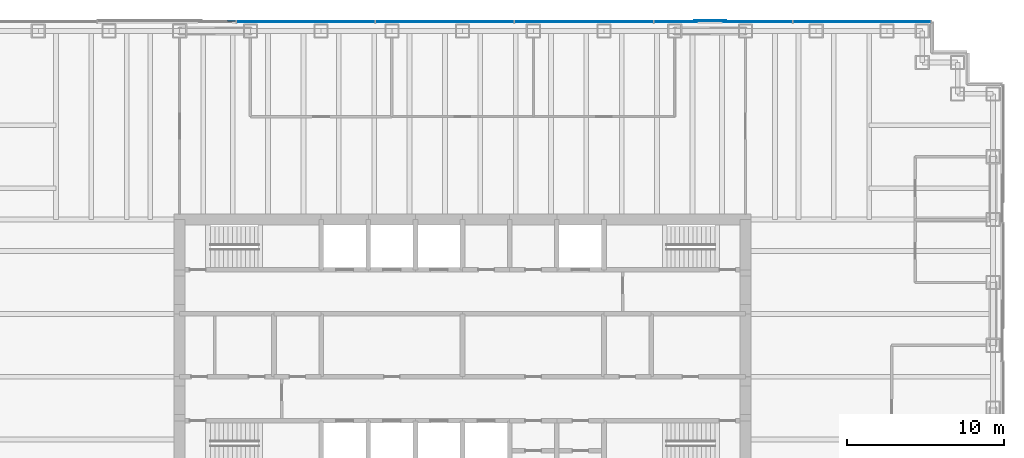
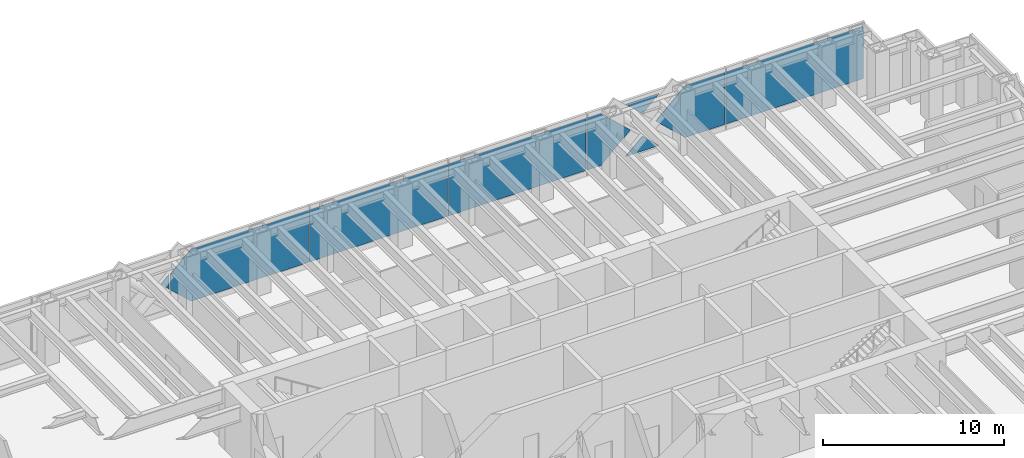
# One storey, part 12 of 17: 9 plates, 1 element without a shape of its own.
"""IFC4 building model written with IfcOpenShell, lengths in metres."""

import ifcopenshell
import ifcopenshell.guid

model = None  # the IFC model being written
_history = None  # IfcOwnerHistory: only IFC2X3 demands one
_inside = {}  # id of a spatial element -> (the spatial element, [elements in it])
_under = {}  # id of a project, library or spatial element -> (it, [spatial elements below it])
_declared = {}  # id of a project -> (the project, [libraries it declares])
_typed = {}  # id of a type object -> (the type object, [elements of that type])
_made_of = {}  # id of a material, layer set ... -> (it, [elements and type objects made of it])


def new_model(schema):
    """Start an empty IFC model of exactly this schema.

    Asked for "IFC4X3", IfcOpenShell would pick the latest addendum, in which some entities
    have other attributes; the version numbers below select the first issue.
    IFC2X3 requires an IfcOwnerHistory on every rooted entity: one is made here for all.
    """
    global model, _history
    if schema == "IFC4X3":
        model = ifcopenshell.file(schema_version=(4, 3, 0, 0))
    else:
        model = ifcopenshell.file(schema=schema)
    _inside.clear()
    _under.clear()
    _declared.clear()
    _typed.clear()
    _made_of.clear()
    _history = None
    if model.schema == "IFC2X3":
        org = make("IfcOrganization", Name="unknown")
        user = make(
            "IfcPersonAndOrganization",
            ThePerson=make("IfcPerson", FamilyName="unknown"),
            TheOrganization=org,
        )
        app = make(
            "IfcApplication",
            ApplicationDeveloper=org,
            Version="unknown",
            ApplicationFullName="unknown",
            ApplicationIdentifier="unknown",
        )
        _history = make(
            "IfcOwnerHistory",
            OwningUser=user,
            OwningApplication=app,
            ChangeAction="ADDED",
            CreationDate=0,
        )
    return model


def make(cls, **values):
    """One entity of the class cls with the attributes given. An attribute that is None is left unset."""
    return model.create_entity(
        cls, **{name: value for name, value in values.items() if value is not None}
    )


def rooted(cls, **values):
    """An entity with a GlobalId (a new one), such as an element, a storey or a relation."""
    return make(cls, GlobalId=ifcopenshell.guid.new(), OwnerHistory=_history, **values)


def si_unit(unit_type, name, prefix=None):
    """IfcSIUnit, for example si_unit("LENGTHUNIT", "METRE", prefix="MILLI")."""
    return make("IfcSIUnit", UnitType=unit_type, Prefix=prefix, Name=name)


def assignment(units):
    """IfcUnitAssignment: the units of a project."""
    return None if units is None else make("IfcUnitAssignment", Units=units)


def point(xyz):
    """IfcCartesianPoint."""
    return None if xyz is None else make("IfcCartesianPoint", Coordinates=xyz)


def direction(xyz):
    """IfcDirection."""
    return None if xyz is None else make("IfcDirection", DirectionRatios=xyz)


def frame(location, z_axis=None, x_axis=None):
    """IfcAxis2Placement3D, a coordinate frame: its origin and axes. An axis left out is left unset."""
    return make(
        "IfcAxis2Placement3D",
        Location=point(location),
        Axis=direction(z_axis),
        RefDirection=direction(x_axis),
    )


def frame_2d(location, x_axis=None):
    """IfcAxis2Placement2D, a coordinate frame in the plane: its origin and x axis."""
    return make(
        "IfcAxis2Placement2D", Location=point(location), RefDirection=direction(x_axis)
    )


def origin():
    """The frame at (0, 0, 0) with its axes left unset."""
    return frame((0.0, 0.0, 0.0))


def origin_2d():
    """The frame at (0, 0) in the plane with its x axis left unset."""
    return frame_2d((0.0, 0.0))


def place(relative_to, where):
    """IfcLocalPlacement: puts the frame where relative to a parent placement (None: the world)."""
    return make(
        "IfcLocalPlacement", PlacementRelTo=relative_to, RelativePlacement=where
    )


def context(
    kind, dimensions, precision=None, world=None, true_north=None, identifier=None
):
    """IfcGeometricRepresentationContext, for example the 3D "Model" context."""
    return make(
        "IfcGeometricRepresentationContext",
        ContextIdentifier=identifier,
        ContextType=kind,
        CoordinateSpaceDimension=dimensions,
        Precision=precision,
        WorldCoordinateSystem=world,
        TrueNorth=true_north,
    )


def subcontext(parent, identifier, kind, view, scale=None):
    """IfcGeometricRepresentationSubContext, for example "Body" below "Model"."""
    return make(
        "IfcGeometricRepresentationSubContext",
        ContextIdentifier=identifier,
        ContextType=kind,
        ParentContext=parent,
        TargetScale=scale,
        TargetView=view,
    )


def project(units=None, contexts=None):
    """IfcProject with its units and contexts."""
    return rooted(
        "IfcProject",
        Name="project",
        RepresentationContexts=contexts,
        UnitsInContext=assignment(units),
    )


def spatial(cls, under=None, at=None, **own):
    """A site, building, storey or space (cls), placed at a placement, below another one or the project."""
    s = rooted(cls, ObjectPlacement=at, **own)
    if under is not None:
        _under.setdefault(under.id(), (under, []))[1].append(s)
    return s


def polyline(points):
    """IfcPolyline through the points."""
    return make("IfcPolyline", Points=[point(p) for p in points])


def profile(cls, at=None, kind="AREA", **sizes):
    """A parametric profile (cls). Its sizes go by their IFC names, for example OverallWidth=200.0."""
    return make(cls, ProfileType=kind, Position=at, **sizes)


def rectangle(**sizes):
    """IfcRectangleProfileDef."""
    return profile("IfcRectangleProfileDef", **sizes)


def outline(outer, holes=None, kind="AREA"):
    """IfcArbitraryClosedProfileDef: a profile drawn as a closed curve; with holes, ...WithVoids."""
    if holes is None:
        return make("IfcArbitraryClosedProfileDef", ProfileType=kind, OuterCurve=outer)
    return make(
        "IfcArbitraryProfileDefWithVoids",
        ProfileType=kind,
        OuterCurve=outer,
        InnerCurves=holes,
    )


def extrude(swept, where, along, depth):
    """IfcExtrudedAreaSolid: the profile swept, set in the frame where, extruded along a direction by depth."""
    return make(
        "IfcExtrudedAreaSolid",
        SweptArea=swept,
        Position=where,
        ExtrudedDirection=direction(along),
        Depth=depth,
    )


def shape(context_of_items, identifier, shape_type, items):
    """IfcShapeRepresentation: the items that make up one representation, for example the "Body"."""
    return make(
        "IfcShapeRepresentation",
        ContextOfItems=context_of_items,
        RepresentationIdentifier=identifier,
        RepresentationType=shape_type,
        Items=items,
    )


def material(Name=None, Category=None):
    """IfcMaterial."""
    return make("IfcMaterial", Name=Name, Category=Category)


def layer(
    of_material, thickness, ventilated=None, Name=None, Category=None, Priority=None
):
    """IfcMaterialLayer: one layer of a wall or slab, of a material (None: an air gap)."""
    return make(
        "IfcMaterialLayer",
        Material=of_material,
        LayerThickness=thickness,
        IsVentilated=ventilated,
        Name=Name,
        Category=Category,
        Priority=Priority,
    )


def layer_set(layers, Name=None):
    """IfcMaterialLayerSet."""
    return make("IfcMaterialLayerSet", MaterialLayers=layers, LayerSetName=Name)


def made_of(thing, what):
    """Note that an element or type object is made of a material, layer set ...; save() writes the relation."""
    if what is not None:
        _made_of.setdefault(what.id(), (what, []))[1].append(thing)
    return thing


def type_object(cls, material=None, **own):
    """A type object (cls), such as IfcWallType, which elements share."""
    return made_of(rooted(cls, **own), material)


def element(
    cls,
    number,
    at=None,
    inside=None,
    cuts=None,
    type_object=None,
    material=None,
    context=None,
    identifier="Body",
    shape_type=None,
    held_by="IfcProductDefinitionShape",
    body=None,
    shapes=None,
    **own,
):
    """One element of the class cls, such as IfcWall. Its Tag is "e" and its number.

    at: its placement. inside: the storey or other place that contains it. cuts: it is an
    opening in that element (IfcRelVoidsElement). A single representation is given by context,
    identifier, shape_type and body (its items); several are given by shapes. held_by: the class
    of the entity that holds the representations. save() writes the other relations.
    """
    e = rooted(cls, Tag="e%d" % number, ObjectPlacement=at, **own)
    if body is not None:
        shapes = [shape(context, identifier, shape_type, body)]
    if shapes is not None:
        e.Representation = make(held_by, Representations=shapes)
    if inside is not None:
        _inside.setdefault(inside.id(), (inside, []))[1].append(e)
    if cuts is not None:
        rooted(
            "IfcRelVoidsElement", RelatingBuildingElement=cuts, RelatedOpeningElement=e
        )
    if type_object is not None:
        _typed.setdefault(type_object.id(), (type_object, []))[1].append(e)
    return made_of(e, material)


def aggregate(whole, parts):
    """IfcRelAggregates: a whole, such as a stair, and the parts it consists of."""
    return rooted("IfcRelAggregates", RelatingObject=whole, RelatedObjects=parts)


def save(model, path):
    """Write the relations noted so far, then the file.

    IfcRelAggregates (storeys below a building ...), IfcRelContainedInSpatialStructure (elements
    in a storey), IfcRelDefinesByType, IfcRelAssociatesMaterial and IfcRelDeclares: one each for
    every whole, place, type object, material and project.
    """
    for whole, parts in _under.values():
        aggregate(whole, parts)
    for where, things in _inside.values():
        rooted(
            "IfcRelContainedInSpatialStructure",
            RelatedElements=things,
            RelatingStructure=where,
        )
    for kind, things in _typed.values():
        rooted("IfcRelDefinesByType", RelatedObjects=things, RelatingType=kind)
    for what, things in _made_of.values():
        rooted("IfcRelAssociatesMaterial", RelatedObjects=things, RelatingMaterial=what)
    for by, libraries in _declared.values():
        rooted("IfcRelDeclares", RelatingContext=by, RelatedDefinitions=libraries)
    model.write(path)


model = new_model("IFC4")

# Units and contexts
model_context = context("Model", 3, precision=1e-05, world=origin(), true_north=direction((0.0, 1.0)))
body_context = subcontext(model_context, "Body", "Model", "MODEL_VIEW")
ifc_project = project(units=[si_unit("LENGTHUNIT", "METRE"), si_unit("AREAUNIT", "SQUARE_METRE"), si_unit("VOLUMEUNIT", "CUBIC_METRE"), si_unit("PLANEANGLEUNIT", "RADIAN"), si_unit("MASSUNIT", "GRAM", prefix="KILO")], contexts=[model_context])

# Site, building, storey
site_placement = place(None, origin())
site = spatial("IfcSite", under=ifc_project, at=site_placement, CompositionType="ELEMENT")
building_placement = place(site_placement, origin())
building = spatial("IfcBuilding", under=site, at=building_placement, Name="Rheinbord Bourse Tower", CompositionType="ELEMENT")
storey_placement = place(building_placement, frame((0.0, 0.0, 287.89990234375)))
storey = spatial("IfcBuildingStorey", under=building, at=storey_placement, Name="L65", CompositionType="ELEMENT", Elevation=287.89990234375)

# Curtain wall, plates
ifc_material_1 = material(Name="Dark glass and black aluminium", Category="aluminium")
curtain_wall_type = type_object("IfcCurtainWallType", Name="CW3 DARK GLASS CURTAIN WALL", PredefinedType="USERDEFINED", material=ifc_material_1)
curtain_wall_placement = place(storey_placement, origin())
curtain_wall = element("IfcCurtainWall", 1, at=curtain_wall_placement, inside=storey, type_object=curtain_wall_type, Name="Curtain wall CW3 N L65", ObjectType="UNITISED CURTAIN WALL", PredefinedType="USERDEFINED")
ifc_material_2 = material(Name="Dark tinted triple insulating glass", Category="glass")
ifc_layer = layer(ifc_material_2, 0.055908203125)
ifc_layer_set = layer_set([ifc_layer], Name="CW3 DARK GLASS PANEL")
plate_type = type_object("IfcPlateType", Name="CW3 DARK GLASS PANEL", PredefinedType="CURTAIN_PANEL", material=ifc_layer_set)
plate_1_placement = place(storey_placement, frame((61.40869140625, 44.60009765625, 0.35009765625), z_axis=(0.0, 0.0, 1.0), x_axis=(-1.0, 0.0, 0.0)))
plate_1 = element("IfcPlate", 2, at=plate_1_placement, type_object=plate_type, Name="CW3 panel 1.1", PredefinedType="CURTAIN_PANEL", context=body_context, shape_type="SweptSolid", body=[
    extrude(rectangle(XDim=8.75244140625, YDim=0.055908203125, at=origin_2d()), origin(), (0.0, 0.0, 1.0), 3.5),
])
plate_2_placement = place(storey_placement, frame((43.72509765625, 44.60009765625, 0.35009765625), z_axis=(0.0, 0.0, 1.0), x_axis=(-1.0, 0.0, 0.0)))
plate_2 = element("IfcPlate", 3, at=plate_2_placement, type_object=plate_type, Name="CW3 panel 3.1", PredefinedType="CURTAIN_PANEL", context=body_context, shape_type="SweptSolid", body=[
    extrude(rectangle(XDim=8.784912109375, YDim=0.055908203125, at=origin_2d()), origin(), (0.0, 0.0, 1.0), 3.5),
])
plate_3_placement = place(storey_placement, frame((34.875, 44.60009765625, 0.35009765625), z_axis=(0.0, 0.0, 1.0), x_axis=(-1.0, 0.0, 0.0)))
plate_3 = element("IfcPlate", 4, at=plate_3_placement, type_object=plate_type, Name="CW3 panel 4.1", PredefinedType="CURTAIN_PANEL", context=body_context, shape_type="SweptSolid", body=[
    extrude(rectangle(XDim=8.784912109375, YDim=0.055908203125, at=origin_2d()), origin(), (0.0, 0.0, 1.0), 3.5),
])
plate_4_placement = place(storey_placement, frame((56.967041015625, 44.6279296875, 0.35009765625), z_axis=(0.0, -1.0, 0.0), x_axis=(0.0, 0.0, 1.0)))
plate_4 = element("IfcPlate", 5, at=plate_4_placement, type_object=plate_type, Name="CW3 glass facet 1", PredefinedType="CURTAIN_PANEL", context=body_context, shape_type="SweptSolid", body=[
    extrude(outline(polyline([(0.0, 0.0), (3.5, 0.0), (3.5, 2.530029296875), (1.75, 4.405029296875), (0.0, 2.530029296875), (0.0, 0.0)])), origin(), (0.0, 0.0, 1.0), 0.055908203125),
])
plate_5_placement = place(storey_placement, frame((52.81298828125, 44.68896484375, 0.35009765625), z_axis=(0.0, -1.0, 0.0), x_axis=(-0.731116689111, 0.0, 0.682252436348)))
plate_5 = element("IfcPlate", 6, at=plate_5_placement, type_object=plate_type, Name="CW3 glass facet 2", PredefinedType="CURTAIN_PANEL", context=body_context, shape_type="SweptSolid", body=[
    extrude(outline(polyline([(0.0, 0.0), (1.453857421875, 0.0), (1.554443359375, 1.450439453125), (0.0, 0.0)])), origin(), (0.0, 0.0, 1.0), 0.055908203125),
])
plate_6_placement = place(storey_placement, frame((50.68701171875, 44.68896484375, 3.85009765625), z_axis=(0.0, -1.0, 0.0), x_axis=(0.731116689111, 0.0, -0.682252436348)))
plate_6 = element("IfcPlate", 7, at=plate_6_placement, type_object=plate_type, Name="CW3 glass facet 3", PredefinedType="CURTAIN_PANEL", context=body_context, shape_type="SweptSolid", body=[
    extrude(outline(polyline([(0.0, 0.0), (1.453857421875, 0.0), (1.554443359375, 1.450439453125), (0.0, 0.0)])), origin(), (0.0, 0.0, 1.0), 0.055908203125),
])
plate_7_placement = place(storey_placement, frame((48.181884765625, 44.6279296875, 3.85009765625), z_axis=(0.0, -1.0, 0.0), x_axis=(0.0, 0.0, -1.0)))
plate_7 = element("IfcPlate", 8, at=plate_7_placement, type_object=plate_type, Name="CW3 glass facet 4", PredefinedType="CURTAIN_PANEL", context=body_context, shape_type="SweptSolid", body=[
    extrude(outline(polyline([(0.0, 0.0), (3.5, 0.0), (3.5, 0.881103515625), (1.75, 2.756103515625), (0.0, 0.881103515625), (0.0, 0.0)])), origin(), (0.0, 0.0, 1.0), 0.055908203125),
])
plate_8_placement = place(storey_placement, frame((30.4169921875, 44.6279296875, 0.35009765625), z_axis=(0.0, -1.0, 0.0), x_axis=(0.0, 0.0, 1.0)))
plate_8 = element("IfcPlate", 9, at=plate_8_placement, type_object=plate_type, Name="CW3 glass facet 1", PredefinedType="CURTAIN_PANEL", context=body_context, shape_type="SweptSolid", body=[
    extrude(outline(polyline([(0.0, 0.0), (3.5, 0.0), (3.5, 7.47998046875), (2.282958984375, 8.784912109375), (1.217041015625, 8.784912109375), (0.0, 7.47998046875), (0.0, 0.0)])), origin(), (0.0, 0.0, 1.0), 0.055908203125),
])
plate_9_placement = place(storey_placement, frame((21.56689453125, 44.68896484375, 2.572021484375), z_axis=(0.0, -1.0, 0.0), x_axis=(-0.730549925572, 0.0, -0.682859287297)))
plate_9 = element("IfcPlate", 10, at=plate_9_placement, type_object=plate_type, Name="CW3 glass facet 1", PredefinedType="CURTAIN_PANEL", context=body_context, shape_type="SweptSolid", body=[
    extrude(outline(polyline([(0.0, 0.0), (0.691162109375, 0.0), (0.64453125, 0.689453125), (0.0, 0.0)])), origin(), (0.0, 0.0, 1.0), 0.055908203125),
])
aggregate(curtain_wall, [plate_1, plate_2, plate_3, plate_4, plate_5, plate_6, plate_7, plate_8, plate_9])

save(model, "model.ifc")
